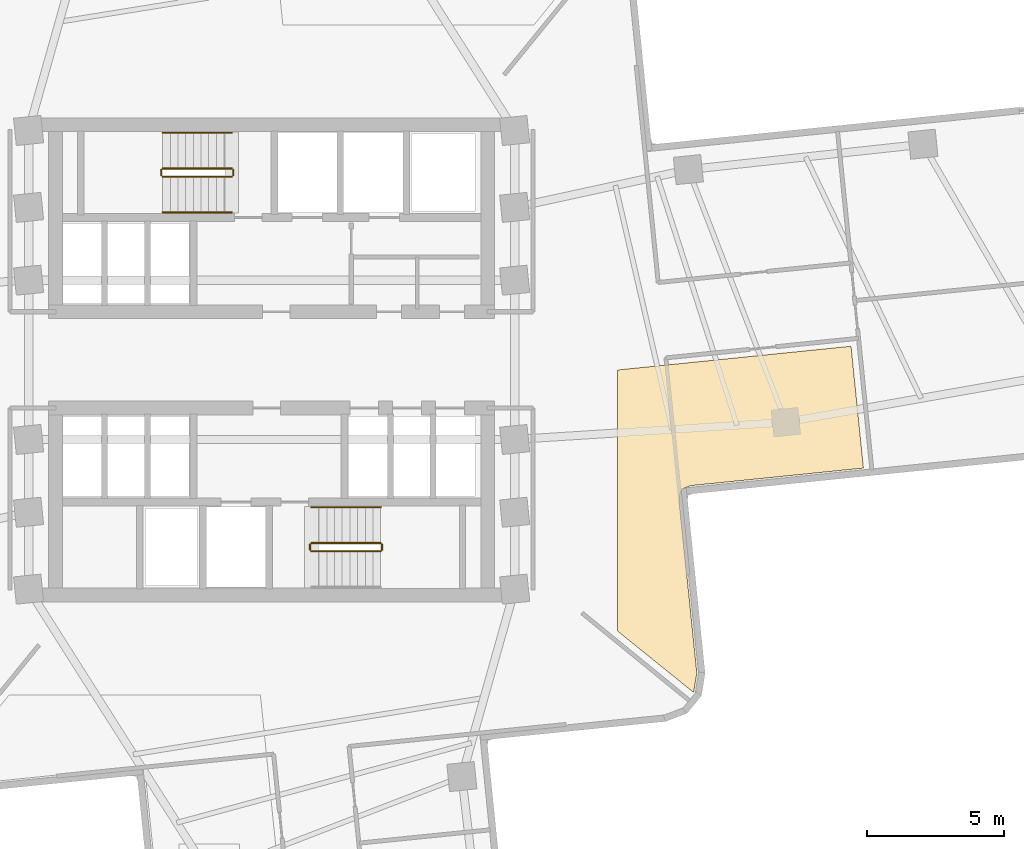
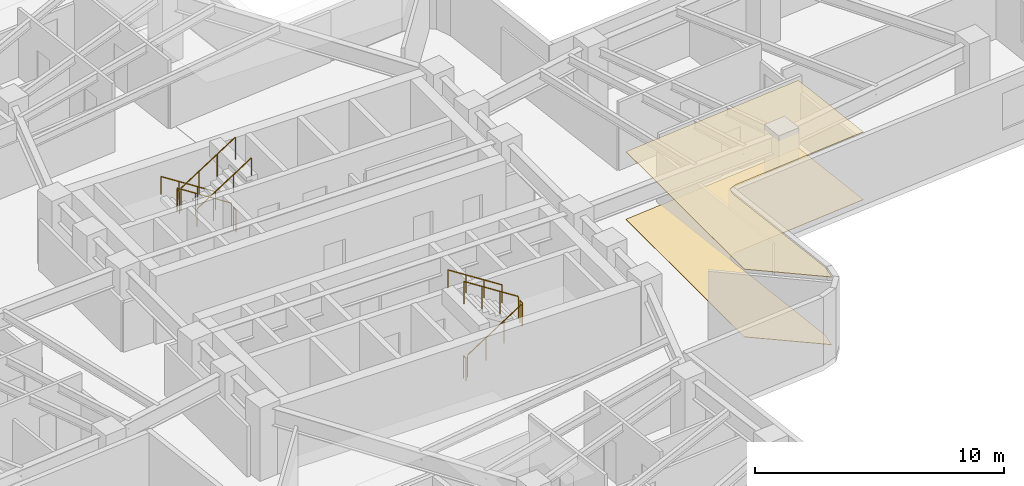
# One storey, part 8 of 9: 11 railings, 2 coverings.
"""IFC4 building model written with IfcOpenShell, lengths in metres."""

from ifc_helpers import new_model, si_unit, direction, frame, origin, origin_2d, place, context, subcontext, project, spatial, polyline, circle, outline, extrude, material, layer, layer_set, type_object, element, save


model = new_model("IFC4")

# Units and contexts
model_context = context("Model", 3, precision=1e-05, world=origin(), true_north=direction((0.0, 1.0)))
body_context = subcontext(model_context, "Body", "Model", "MODEL_VIEW")
ifc_project = project(units=[si_unit("LENGTHUNIT", "METRE"), si_unit("AREAUNIT", "SQUARE_METRE"), si_unit("VOLUMEUNIT", "CUBIC_METRE"), si_unit("PLANEANGLEUNIT", "RADIAN"), si_unit("MASSUNIT", "GRAM", prefix="KILO")], contexts=[model_context])

# Site, building, storey
site_placement = place(None, origin())
site = spatial("IfcSite", under=ifc_project, at=site_placement, CompositionType="ELEMENT")
building_placement = place(site_placement, origin())
building = spatial("IfcBuilding", under=site, at=building_placement, Name="Solmarez Civic Tower", CompositionType="ELEMENT")
storey_placement = place(building_placement, frame((0.0, 0.0, 71.280029296875)))
storey = spatial("IfcBuildingStorey", under=building, at=storey_placement, Name="L18", CompositionType="ELEMENT", Elevation=71.280029296875)

# Coverings
ifc_material_1 = material(Name="Perforated Mineral-Fibre Acoustic Ceiling")
ifc_layer_1 = layer(ifc_material_1, 0.02490234375)
ifc_layer_set_1 = layer_set([ifc_layer_1], Name="Perforated Mineral-Fibre Acoustic Ceiling")
covering_type_1 = type_object("IfcCoveringType", Name="COV-CEIL-ACOUSTIC", PredefinedType="CEILING", material=ifc_layer_set_1)
covering_1_placement = place(storey_placement, frame((0.0, 0.0, 3.31494140625)))
element("IfcCovering", 1, at=covering_1_placement, inside=storey, type_object=covering_type_1, Name="L18 Suspended Acoustic Ceiling 3", PredefinedType="CEILING", context=body_context, shape_type="SweptSolid", body=[
    extrude(outline(polyline([(12.60009765625, -0.368896484375), (12.60009765625, -9.87890625), (15.364013671875, -12.10888671875), (15.367919921875, -12.10302734375), (15.48193359375, -11.404052734375), (14.844970703125, -5.136962890625), (14.843994140625, -5.114990234375), (14.843994140625, -5.10107421875), (14.845947265625, -5.070068359375), (14.847900390625, -5.05908203125), (14.875, -4.888916015625), (14.87890625, -4.87109375), (14.881103515625, -4.863037109375), (14.882080078125, -4.85595703125), (14.884033203125, -4.84912109375), (14.89404296875, -4.822021484375), (14.89697265625, -4.81494140625), (14.89990234375, -4.80810546875), (14.908935546875, -4.7890625), (14.919921875, -4.77099609375), (14.93310546875, -4.75390625), (14.93798828125, -4.748046875), (14.943115234375, -4.741943359375), (14.9560546875, -4.72705078125), (14.9609375, -4.721923828125), (14.97607421875, -4.708984375), (14.98193359375, -4.7041015625), (15.0009765625, -4.68994140625), (15.007080078125, -4.68603515625), (15.02001953125, -4.677978515625), (15.027099609375, -4.674072265625), (15.049072265625, -4.6630859375), (15.055908203125, -4.659912109375), (15.06494140625, -4.656005859375), (15.22509765625, -4.594970703125), (15.242919921875, -4.589111328125), (15.25, -4.5869140625), (15.257080078125, -4.5849609375), (15.285888671875, -4.5791015625), (15.29296875, -4.577880859375), (15.302001953125, -4.576904296875), (21.549072265625, -3.94189453125), (21.097900390625, 0.4951171875), (12.60009765625, -0.368896484375)])), origin(), (0.0, 0.0, 1.0), 0.025146484375),
])
ifc_material_2 = material(Name="Polished Tropical Stone Terrazzo Flooring", Category="masonry")
ifc_layer_2 = layer(ifc_material_2, 0.02001953125)
ifc_layer_set_2 = layer_set([ifc_layer_2], Name="Polished Tropical Stone Terrazzo Flooring")
covering_type_2 = type_object("IfcCoveringType", Name="COV-FLOOR-TERRAZZO", PredefinedType="FLOORING", material=ifc_layer_set_2)
covering_2_placement = place(storey_placement, origin())
element("IfcCovering", 2, at=covering_2_placement, inside=storey, type_object=covering_type_2, Name="L18 Terrazzo Floor Finish 3", PredefinedType="FLOORING", context=body_context, shape_type="SweptSolid", body=[
    extrude(outline(polyline([(12.60009765625, -0.368896484375), (12.60009765625, -9.87890625), (15.364013671875, -12.10888671875), (15.367919921875, -12.10302734375), (15.48193359375, -11.404052734375), (14.844970703125, -5.136962890625), (14.843994140625, -5.114990234375), (14.843994140625, -5.10107421875), (14.845947265625, -5.070068359375), (14.847900390625, -5.05908203125), (14.875, -4.888916015625), (14.87890625, -4.87109375), (14.881103515625, -4.863037109375), (14.882080078125, -4.85595703125), (14.884033203125, -4.84912109375), (14.89404296875, -4.822021484375), (14.89697265625, -4.81494140625), (14.89990234375, -4.80810546875), (14.908935546875, -4.7890625), (14.919921875, -4.77099609375), (14.93310546875, -4.75390625), (14.93798828125, -4.748046875), (14.943115234375, -4.741943359375), (14.9560546875, -4.72705078125), (14.9609375, -4.721923828125), (14.97607421875, -4.708984375), (14.98193359375, -4.7041015625), (15.0009765625, -4.68994140625), (15.007080078125, -4.68603515625), (15.02001953125, -4.677978515625), (15.027099609375, -4.674072265625), (15.049072265625, -4.6630859375), (15.055908203125, -4.659912109375), (15.06494140625, -4.656005859375), (15.22509765625, -4.594970703125), (15.242919921875, -4.589111328125), (15.25, -4.5869140625), (15.257080078125, -4.5849609375), (15.285888671875, -4.5791015625), (15.29296875, -4.577880859375), (15.302001953125, -4.576904296875), (21.549072265625, -3.94189453125), (21.097900390625, 0.4951171875), (12.60009765625, -0.368896484375)])), origin(), (0.0, 0.0, 1.0), 0.02001953125),
])

# Railings
ifc_material_3 = material(Name="Painted Steel Stairwell Safety Guard", Category="steel")
railing_type_1 = type_object("IfcRailingType", Name="GUARD-STAIR-1120", PredefinedType="BALUSTRADE", material=ifc_material_3)
railing_1_placement = place(storey_placement, frame((-1.449951171875, 6.969970703125, 0.179931640625)))
element("IfcRailing", 3, at=railing_1_placement, inside=storey, type_object=railing_type_1, Name="L18 ST-1 stair guard 1", PredefinedType="BALUSTRADE", context=body_context, shape_type="SweptSolid", body=[
    extrude(circle(Radius=0.02392578125, at=origin_2d()), frame((0.0, 0.0, 1.09619140625), z_axis=(-0.841162588446, 0.0, 0.540782303519), x_axis=(0.0, -1.0, 0.0)), (0.0, 0.0, 1.0), 2.995849609375),
    extrude(circle(Radius=0.02099609375, at=origin_2d()), origin(), (0.0, 0.0, 1.0), 1.072021484375),
    extrude(circle(Radius=0.02099609375, at=origin_2d()), frame((-0.840087890625, 0.0, 0.5400390625)), (0.0, 0.0, 1.0), 1.072021484375),
    extrude(circle(Radius=0.02099609375, at=origin_2d()), frame((-1.679931640625, 0.0, 1.080078125)), (0.0, 0.0, 1.0), 1.072021484375),
    extrude(circle(Radius=0.02099609375, at=origin_2d()), frame((-2.52001953125, 0.0, 1.6201171875)), (0.0, 0.0, 1.0), 1.072021484375),
])
railing_2_placement = place(storey_placement, frame((-4.02001953125, 6.919921875, 1.800048828125)))
element("IfcRailing", 4, at=railing_2_placement, inside=storey, type_object=railing_type_1, Name="L18 ST-1 stair guard 2", PredefinedType="BALUSTRADE", context=body_context, shape_type="SweptSolid", body=[
    extrude(circle(Radius=0.02392578125, at=origin_2d()), frame((0.0, 0.0, 1.09619140625), z_axis=(0.0, -1.0, 0.0), x_axis=(1.0, 0.0, 0.0)), (0.0, 0.0, 1.0), 0.199951171875),
    extrude(circle(Radius=0.02099609375, at=origin_2d()), origin(), (0.0, 0.0, 1.0), 1.072021484375),
    extrude(circle(Radius=0.02099609375, at=origin_2d()), frame((0.0, -0.199951171875, 0.0)), (0.0, 0.0, 1.0), 1.072021484375),
])
railing_3_placement = place(storey_placement, frame((-3.969970703125, 6.669921875, 1.97998046875)))
element("IfcRailing", 5, at=railing_3_placement, inside=storey, type_object=railing_type_1, Name="L18 ST-1 stair guard 3", PredefinedType="BALUSTRADE", context=body_context, shape_type="SweptSolid", body=[
    extrude(circle(Radius=0.02392578125, at=origin_2d()), frame((0.0, 0.0, 1.09619140625), z_axis=(0.841199657755, 0.0, 0.540724639528), x_axis=(0.0, 1.0, 0.0)), (0.0, 0.0, 1.0), 2.995849609375),
    extrude(circle(Radius=0.02099609375, at=origin_2d()), origin(), (0.0, 0.0, 1.0), 1.072021484375),
    extrude(circle(Radius=0.02099609375, at=origin_2d()), frame((0.840087890625, 0.0, 0.5400390625)), (0.0, 0.0, 1.0), 1.072021484375),
    extrude(circle(Radius=0.02099609375, at=origin_2d()), frame((1.679931640625, 0.0, 1.079833984375)), (0.0, 0.0, 1.0), 1.072021484375),
    extrude(circle(Radius=0.02099609375, at=origin_2d()), frame((2.52001953125, 0.0, 1.619873046875)), (0.0, 0.0, 1.0), 1.072021484375),
])
railing_4_placement = place(storey_placement, frame((-1.39990234375, 6.919921875, 0.0)))
element("IfcRailing", 6, at=railing_4_placement, inside=storey, type_object=railing_type_1, Name="L18 ST-1 stair guard 4", PredefinedType="BALUSTRADE", context=body_context, shape_type="SweptSolid", body=[
    extrude(circle(Radius=0.02392578125, at=origin_2d()), frame((0.0, 0.0, 1.09619140625), z_axis=(0.0, -1.0, 0.0), x_axis=(1.0, 0.0, 0.0)), (0.0, 0.0, 1.0), 0.199951171875),
    extrude(circle(Radius=0.02099609375, at=origin_2d()), origin(), (0.0, 0.0, 1.0), 1.072021484375),
    extrude(circle(Radius=0.02099609375, at=origin_2d()), frame((0.0, -0.199951171875, 0.0)), (0.0, 0.0, 1.0), 1.072021484375),
])
railing_5_placement = place(storey_placement, frame((1.449951171875, -6.969970703125, 0.179931640625)))
element("IfcRailing", 7, at=railing_5_placement, inside=storey, type_object=railing_type_1, Name="L18 ST-2 stair guard 1", PredefinedType="BALUSTRADE", context=body_context, shape_type="SweptSolid", body=[
    extrude(circle(Radius=0.02392578125, at=origin_2d()), frame((0.0, 0.0, 1.09619140625), z_axis=(0.841162588446, 0.0, 0.540782303519), x_axis=(0.0, 1.0, 0.0)), (0.0, 0.0, 1.0), 2.995849609375),
    extrude(circle(Radius=0.02099609375, at=origin_2d()), origin(), (0.0, 0.0, 1.0), 1.072021484375),
    extrude(circle(Radius=0.02099609375, at=origin_2d()), frame((0.840087890625, 0.0, 0.5400390625)), (0.0, 0.0, 1.0), 1.072021484375),
    extrude(circle(Radius=0.02099609375, at=origin_2d()), frame((1.679931640625, 0.0, 1.080078125)), (0.0, 0.0, 1.0), 1.072021484375),
    extrude(circle(Radius=0.02099609375, at=origin_2d()), frame((2.52001953125, 0.0, 1.6201171875)), (0.0, 0.0, 1.0), 1.072021484375),
])
railing_6_placement = place(storey_placement, frame((4.02001953125, -6.919921875, 1.800048828125)))
element("IfcRailing", 8, at=railing_6_placement, inside=storey, type_object=railing_type_1, Name="L18 ST-2 stair guard 2", PredefinedType="BALUSTRADE", context=body_context, shape_type="SweptSolid", body=[
    extrude(circle(Radius=0.02392578125, at=origin_2d()), frame((0.0, 0.0, 1.09619140625), z_axis=(0.0, 1.0, 0.0), x_axis=(-1.0, 0.0, 0.0)), (0.0, 0.0, 1.0), 0.199951171875),
    extrude(circle(Radius=0.02099609375, at=origin_2d()), origin(), (0.0, 0.0, 1.0), 1.072021484375),
    extrude(circle(Radius=0.02099609375, at=origin_2d()), frame((0.0, 0.199951171875, 0.0)), (0.0, 0.0, 1.0), 1.072021484375),
])
railing_7_placement = place(storey_placement, frame((3.969970703125, -6.669921875, 1.97998046875)))
element("IfcRailing", 9, at=railing_7_placement, inside=storey, type_object=railing_type_1, Name="L18 ST-2 stair guard 3", PredefinedType="BALUSTRADE", context=body_context, shape_type="SweptSolid", body=[
    extrude(circle(Radius=0.02392578125, at=origin_2d()), frame((0.0, 0.0, 1.09619140625), z_axis=(-0.841199657755, 0.0, 0.540724639528), x_axis=(0.0, -1.0, 0.0)), (0.0, 0.0, 1.0), 2.995849609375),
    extrude(circle(Radius=0.02099609375, at=origin_2d()), origin(), (0.0, 0.0, 1.0), 1.072021484375),
    extrude(circle(Radius=0.02099609375, at=origin_2d()), frame((-0.840087890625, 0.0, 0.5400390625)), (0.0, 0.0, 1.0), 1.072021484375),
    extrude(circle(Radius=0.02099609375, at=origin_2d()), frame((-1.679931640625, 0.0, 1.079833984375)), (0.0, 0.0, 1.0), 1.072021484375),
    extrude(circle(Radius=0.02099609375, at=origin_2d()), frame((-2.52001953125, 0.0, 1.619873046875)), (0.0, 0.0, 1.0), 1.072021484375),
])
railing_8_placement = place(storey_placement, frame((1.39990234375, -6.919921875, 0.0)))
element("IfcRailing", 10, at=railing_8_placement, inside=storey, type_object=railing_type_1, Name="L18 ST-2 stair guard 4", PredefinedType="BALUSTRADE", context=body_context, shape_type="SweptSolid", body=[
    extrude(circle(Radius=0.02392578125, at=origin_2d()), frame((0.0, 0.0, 1.09619140625), z_axis=(0.0, 1.0, 0.0), x_axis=(-1.0, 0.0, 0.0)), (0.0, 0.0, 1.0), 0.199951171875),
    extrude(circle(Radius=0.02099609375, at=origin_2d()), origin(), (0.0, 0.0, 1.0), 1.072021484375),
    extrude(circle(Radius=0.02099609375, at=origin_2d()), frame((0.0, 0.199951171875, 0.0)), (0.0, 0.0, 1.0), 1.072021484375),
])
ifc_material_4 = material(Name="Brushed Stainless Steel Tube Handrail", Category="steel")
railing_type_2 = type_object("IfcRailingType", Name="HANDRAIL-STAIR-900", PredefinedType="HANDRAIL", material=ifc_material_4)
railing_9_placement = place(storey_placement, frame((-1.449951171875, 8.27001953125, 0.179931640625)))
element("IfcRailing", 11, at=railing_9_placement, inside=storey, type_object=railing_type_2, Name="L18 ST-1 stair handrail 1", PredefinedType="HANDRAIL", context=body_context, shape_type="SweptSolid", body=[
    extrude(circle(Radius=0.02392578125, at=origin_2d()), frame((0.0, 0.0, 0.8759765625), z_axis=(-0.841162588446, 0.0, 0.540782303519), x_axis=(0.0, -1.0, 0.0)), (0.0, 0.0, 1.0), 2.995849609375),
    extrude(circle(Radius=0.02099609375, at=origin_2d()), origin(), (0.0, 0.0, 1.0), 0.851806640625),
    extrude(circle(Radius=0.02099609375, at=origin_2d()), frame((-0.840087890625, 0.0, 0.5400390625)), (0.0, 0.0, 1.0), 0.851806640625),
    extrude(circle(Radius=0.02099609375, at=origin_2d()), frame((-1.679931640625, 0.0, 1.080078125)), (0.0, 0.0, 1.0), 0.851806640625),
    extrude(circle(Radius=0.02099609375, at=origin_2d()), frame((-2.52001953125, 0.0, 1.6201171875)), (0.0, 0.0, 1.0), 0.851806640625),
])
railing_10_placement = place(storey_placement, frame((-3.969970703125, 5.3701171875, 1.97998046875)))
element("IfcRailing", 12, at=railing_10_placement, inside=storey, type_object=railing_type_2, Name="L18 ST-1 stair handrail 2", PredefinedType="HANDRAIL", context=body_context, shape_type="SweptSolid", body=[
    extrude(circle(Radius=0.02392578125, at=origin_2d()), frame((0.0, 0.0, 0.8759765625), z_axis=(0.841199657755, 0.0, 0.540724639528), x_axis=(0.0, 1.0, 0.0)), (0.0, 0.0, 1.0), 2.995849609375),
    extrude(circle(Radius=0.02099609375, at=origin_2d()), origin(), (0.0, 0.0, 1.0), 0.851806640625),
    extrude(circle(Radius=0.02099609375, at=origin_2d()), frame((0.840087890625, 0.0, 0.5400390625)), (0.0, 0.0, 1.0), 0.851806640625),
    extrude(circle(Radius=0.02099609375, at=origin_2d()), frame((1.679931640625, 0.0, 1.079833984375)), (0.0, 0.0, 1.0), 0.851806640625),
    extrude(circle(Radius=0.02099609375, at=origin_2d()), frame((2.52001953125, 0.0, 1.619873046875)), (0.0, 0.0, 1.0), 0.851806640625),
])
railing_11_placement = place(storey_placement, frame((3.969970703125, -5.3701171875, 1.97998046875)))
element("IfcRailing", 13, at=railing_11_placement, inside=storey, type_object=railing_type_2, Name="L18 ST-2 stair handrail 2", PredefinedType="HANDRAIL", context=body_context, shape_type="SweptSolid", body=[
    extrude(circle(Radius=0.02392578125, at=origin_2d()), frame((0.0, 0.0, 0.8759765625), z_axis=(-0.841199657755, 0.0, 0.540724639528), x_axis=(0.0, -1.0, 0.0)), (0.0, 0.0, 1.0), 2.995849609375),
    extrude(circle(Radius=0.02099609375, at=origin_2d()), origin(), (0.0, 0.0, 1.0), 0.851806640625),
    extrude(circle(Radius=0.02099609375, at=origin_2d()), frame((-0.840087890625, 0.0, 0.5400390625)), (0.0, 0.0, 1.0), 0.851806640625),
    extrude(circle(Radius=0.02099609375, at=origin_2d()), frame((-1.679931640625, 0.0, 1.079833984375)), (0.0, 0.0, 1.0), 0.851806640625),
    extrude(circle(Radius=0.02099609375, at=origin_2d()), frame((-2.52001953125, 0.0, 1.619873046875)), (0.0, 0.0, 1.0), 0.851806640625),
])

save(model, "model.ifc")
